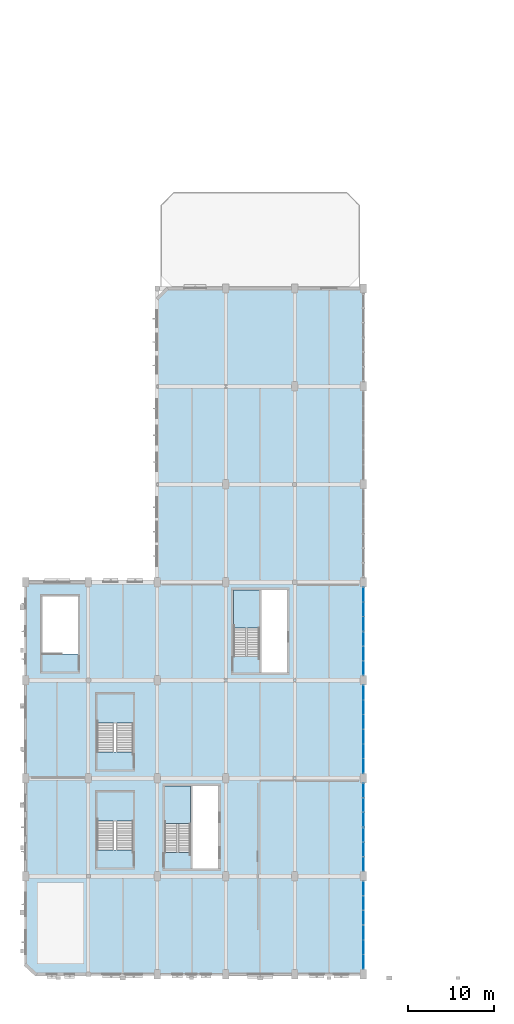
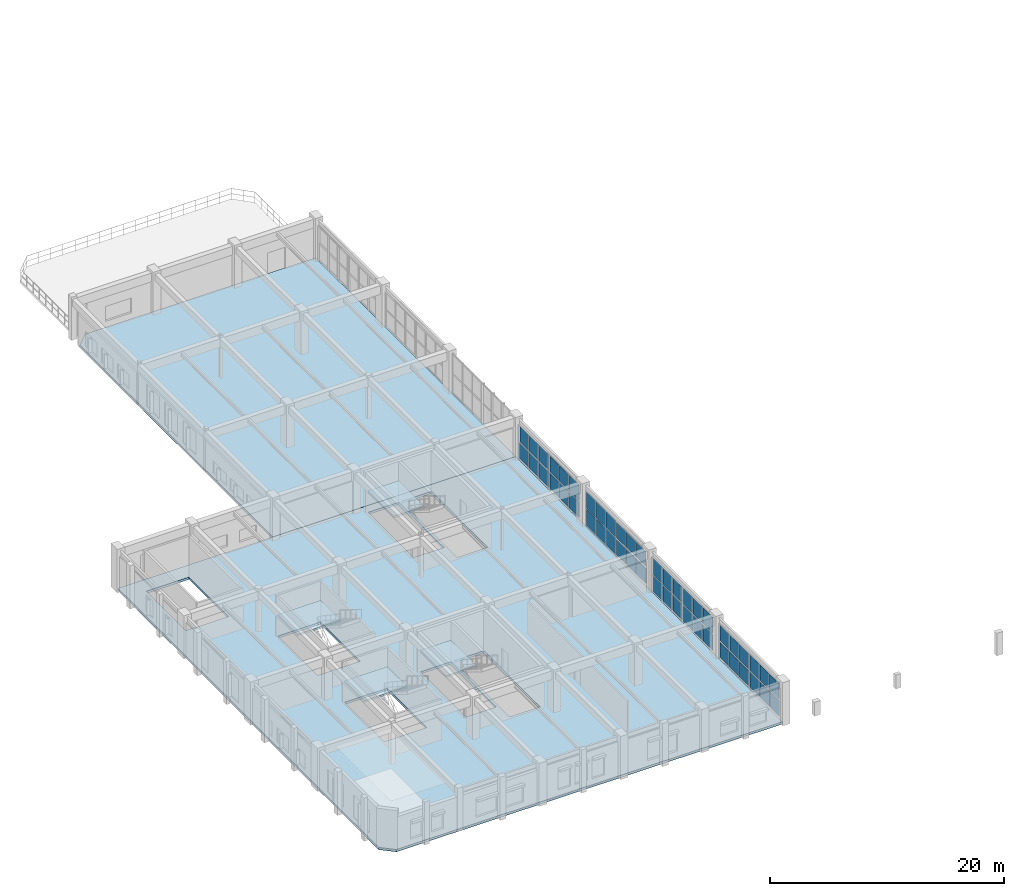
# One storey, part 54 of 80: 48 plates, 6 slabs, 12 elements without a shape of their own.
"""IFC4 building model written with IfcOpenShell, lengths in metres."""

from ifc_helpers import new_model, si_unit, direction, frame, origin, origin_2d, place, context, subcontext, project, spatial, polyline, rectangle, outline, extrude, material, layer, layer_set, type_object, element, aggregate, save


model = new_model("IFC4")

# Units and contexts
model_context = context("Model", 3, precision=1e-05, world=origin(), true_north=direction((0.0, 1.0)))
body_context = subcontext(model_context, "Body", "Model", "MODEL_VIEW")
ifc_project = project(units=[si_unit("LENGTHUNIT", "METRE"), si_unit("AREAUNIT", "SQUARE_METRE"), si_unit("VOLUMEUNIT", "CUBIC_METRE"), si_unit("PLANEANGLEUNIT", "RADIAN"), si_unit("MASSUNIT", "GRAM", prefix="KILO"), si_unit("POWERUNIT", "WATT"), si_unit("THERMODYNAMICTEMPERATUREUNIT", "KELVIN")], contexts=[model_context])

# Site, building, storey
site_placement = place(None, origin())
site = spatial("IfcSite", under=ifc_project, at=site_placement, CompositionType="ELEMENT")
building_placement = place(site_placement, origin())
building = spatial("IfcBuilding", under=site, at=building_placement, Name="Kelmbourne Parkland Aquatics Centre", CompositionType="ELEMENT")
storey_placement = place(building_placement, frame((0.0, 0.0, 10.199951171875)))
storey = spatial("IfcBuildingStorey", under=building, at=storey_placement, Name="L02", CompositionType="ELEMENT", Elevation=10.199951171875)

# Curtain wall, plates
ifc_material_1 = material(Name="Thermally broken anodised aluminium framing", Category="aluminium")
ifc_layer_1 = layer(ifc_material_1, 0.179931640625)
ifc_layer_set_1 = layer_set([ifc_layer_1], Name="Thermally broken anodised aluminium framing")
curtain_wall_type_1 = type_object("IfcCurtainWallType", Name="CW-02", PredefinedType="NOTDEFINED", material=ifc_layer_set_1)
curtain_wall_1_placement = place(storey_placement, origin())
curtain_wall_1 = element("IfcCurtainWall", 1, at=curtain_wall_1_placement, inside=storey, type_object=curtain_wall_type_1, Name="Facade curtain wall CW-L02-242", PredefinedType="NOTDEFINED")
ifc_material_2 = material(Name="Double-glazed low-e laminated safety glass", Category="glass")
ifc_layer_2 = layer(ifc_material_2, 0.02392578125)
ifc_layer_set_2 = layer_set([ifc_layer_2], Name="Double-glazed low-e laminated safety glass")
plate_type_1 = type_object("IfcPlateType", Name="PL-CWP-1", PredefinedType="CURTAIN_PANEL", material=ifc_layer_set_2)
plate_1_placement = place(storey_placement, frame((40.0, 7.386474609375, 1.93994140625), z_axis=(0.0, 0.0, 1.0), x_axis=(0.0, 1.0, 0.0)))
plate_1 = element("IfcPlate", 2, at=plate_1_placement, type_object=plate_type_1, Name="CW-L02-242 vision glazing 1-0", PredefinedType="CURTAIN_PANEL", context=body_context, shape_type="SweptSolid", body=[
    extrude(rectangle(XDim=1.61474609375, YDim=0.02392578125, at=origin_2d()), origin(), (0.0, 0.0, 1.0), 1.594970703125),
])
plate_2_placement = place(storey_placement, frame((40.0, 9.073974609375, 1.93994140625), z_axis=(0.0, 0.0, 1.0), x_axis=(0.0, 1.0, 0.0)))
plate_2 = element("IfcPlate", 3, at=plate_2_placement, type_object=plate_type_1, Name="CW-L02-242 vision glazing 1-1", PredefinedType="CURTAIN_PANEL", context=body_context, shape_type="SweptSolid", body=[
    extrude(rectangle(XDim=1.614501953125, YDim=0.02392578125, at=origin_2d()), origin(), (0.0, 0.0, 1.0), 1.594970703125),
])
plate_3_placement = place(storey_placement, frame((40.0, 10.76171875, 1.93994140625), z_axis=(0.0, 0.0, 1.0), x_axis=(0.0, 1.0, 0.0)))
plate_3 = element("IfcPlate", 4, at=plate_3_placement, type_object=plate_type_1, Name="CW-L02-242 vision glazing 1-2", PredefinedType="CURTAIN_PANEL", context=body_context, shape_type="SweptSolid", body=[
    extrude(rectangle(XDim=1.61474609375, YDim=0.02392578125, at=origin_2d()), origin(), (0.0, 0.0, 1.0), 1.594970703125),
])

ifc_layer_3 = layer(ifc_material_1, 0.179931640625)
ifc_layer_set_3 = layer_set([ifc_layer_3], Name="Thermally broken anodised aluminium framing")
curtain_wall_type_2 = type_object("IfcCurtainWallType", Name="CW-03", PredefinedType="NOTDEFINED", material=ifc_layer_set_3)
curtain_wall_2_placement = place(storey_placement, origin())
curtain_wall_2 = element("IfcCurtainWall", 5, at=curtain_wall_2_placement, inside=storey, type_object=curtain_wall_type_2, Name="Facade curtain wall CW-L02-243", PredefinedType="NOTDEFINED")
plate_4_placement = place(storey_placement, frame((40.0, 13.6416015625, 0.116943359375), z_axis=(0.0, 0.0, 1.0), x_axis=(0.0, 1.0, 0.0)))
plate_4 = element("IfcPlate", 6, at=plate_4_placement, type_object=plate_type_1, Name="CW-L02-243 vision glazing 0-0", PredefinedType="CURTAIN_PANEL", context=body_context, shape_type="SweptSolid", body=[
    extrude(rectangle(XDim=1.601318359375, YDim=0.02392578125, at=origin_2d()), origin(), (0.0, 0.0, 1.0), 1.68505859375),
])
plate_5_placement = place(storey_placement, frame((40.0, 15.325927734375, 0.116943359375), z_axis=(0.0, 0.0, 1.0), x_axis=(0.0, 1.0, 0.0)))
plate_5 = element("IfcPlate", 7, at=plate_5_placement, type_object=plate_type_1, Name="CW-L02-243 vision glazing 0-1", PredefinedType="CURTAIN_PANEL", context=body_context, shape_type="SweptSolid", body=[
    extrude(rectangle(XDim=1.601318359375, YDim=0.02392578125, at=origin_2d()), origin(), (0.0, 0.0, 1.0), 1.68505859375),
])
plate_6_placement = place(storey_placement, frame((40.0, 17.010498046875, 0.116943359375), z_axis=(0.0, 0.0, 1.0), x_axis=(0.0, 1.0, 0.0)))
plate_6 = element("IfcPlate", 8, at=plate_6_placement, type_object=plate_type_1, Name="CW-L02-243 vision glazing 0-2", PredefinedType="CURTAIN_PANEL", context=body_context, shape_type="SweptSolid", body=[
    extrude(rectangle(XDim=1.601318359375, YDim=0.02392578125, at=origin_2d()), origin(), (0.0, 0.0, 1.0), 1.68505859375),
])

ifc_layer_4 = layer(ifc_material_1, 0.179931640625)
ifc_layer_set_4 = layer_set([ifc_layer_4], Name="Thermally broken anodised aluminium framing")
curtain_wall_type_3 = type_object("IfcCurtainWallType", Name="CW-05", PredefinedType="NOTDEFINED", material=ifc_layer_set_4)
curtain_wall_3_placement = place(storey_placement, origin())
curtain_wall_3 = element("IfcCurtainWall", 9, at=curtain_wall_3_placement, inside=storey, type_object=curtain_wall_type_3, Name="Facade curtain wall CW-L02-245", PredefinedType="NOTDEFINED")
plate_7_placement = place(storey_placement, frame((40.0, 25.03173828125, 1.93994140625), z_axis=(0.0, 0.0, 1.0), x_axis=(0.0, 1.0, 0.0)))
plate_7 = element("IfcPlate", 10, at=plate_7_placement, type_object=plate_type_1, Name="CW-L02-245 vision glazing 1-0", PredefinedType="CURTAIN_PANEL", context=body_context, shape_type="SweptSolid", body=[
    extrude(rectangle(XDim=1.641357421875, YDim=0.02392578125, at=origin_2d()), origin(), (0.0, 0.0, 1.0), 1.594970703125),
])
plate_8_placement = place(storey_placement, frame((40.0, 26.72607421875, 1.93994140625), z_axis=(0.0, 0.0, 1.0), x_axis=(0.0, 1.0, 0.0)))
plate_8 = element("IfcPlate", 11, at=plate_8_placement, type_object=plate_type_1, Name="CW-L02-245 vision glazing 1-1", PredefinedType="CURTAIN_PANEL", context=body_context, shape_type="SweptSolid", body=[
    extrude(rectangle(XDim=1.641357421875, YDim=0.02392578125, at=origin_2d()), origin(), (0.0, 0.0, 1.0), 1.594970703125),
])
plate_9_placement = place(storey_placement, frame((40.0, 28.42041015625, 1.93994140625), z_axis=(0.0, 0.0, 1.0), x_axis=(0.0, 1.0, 0.0)))
plate_9 = element("IfcPlate", 12, at=plate_9_placement, type_object=plate_type_1, Name="CW-L02-245 vision glazing 1-2", PredefinedType="CURTAIN_PANEL", context=body_context, shape_type="SweptSolid", body=[
    extrude(rectangle(XDim=1.641357421875, YDim=0.02392578125, at=origin_2d()), origin(), (0.0, 0.0, 1.0), 1.594970703125),
])

ifc_layer_5 = layer(ifc_material_1, 0.179931640625)
ifc_layer_set_5 = layer_set([ifc_layer_5], Name="Thermally broken anodised aluminium framing")
curtain_wall_type_4 = type_object("IfcCurtainWallType", Name="CW-06", PredefinedType="NOTDEFINED", material=ifc_layer_set_5)
curtain_wall_4_placement = place(storey_placement, origin())
curtain_wall_4 = element("IfcCurtainWall", 13, at=curtain_wall_4_placement, inside=storey, type_object=curtain_wall_type_4, Name="Facade curtain wall CW-L02-246", PredefinedType="NOTDEFINED")
plate_10_placement = place(storey_placement, frame((40.0, 30.18310546875, 0.116943359375), z_axis=(0.0, 0.0, 1.0), x_axis=(0.0, 1.0, 0.0)))
plate_10 = element("IfcPlate", 14, at=plate_10_placement, type_object=plate_type_1, Name="CW-L02-246 vision glazing 0-0", PredefinedType="CURTAIN_PANEL", context=body_context, shape_type="SweptSolid", body=[
    extrude(rectangle(XDim=1.6279296875, YDim=0.02392578125, at=origin_2d()), origin(), (0.0, 0.0, 1.0), 1.68505859375),
])
plate_11_placement = place(storey_placement, frame((40.0, 31.8740234375, 0.116943359375), z_axis=(0.0, 0.0, 1.0), x_axis=(0.0, 1.0, 0.0)))
plate_11 = element("IfcPlate", 15, at=plate_11_placement, type_object=plate_type_1, Name="CW-L02-246 vision glazing 0-1", PredefinedType="CURTAIN_PANEL", context=body_context, shape_type="SweptSolid", body=[
    extrude(rectangle(XDim=1.6279296875, YDim=0.02392578125, at=origin_2d()), origin(), (0.0, 0.0, 1.0), 1.68505859375),
])
plate_12_placement = place(storey_placement, frame((40.0, 33.56494140625, 0.116943359375), z_axis=(0.0, 0.0, 1.0), x_axis=(0.0, 1.0, 0.0)))
plate_12 = element("IfcPlate", 16, at=plate_12_placement, type_object=plate_type_1, Name="CW-L02-246 vision glazing 0-2", PredefinedType="CURTAIN_PANEL", context=body_context, shape_type="SweptSolid", body=[
    extrude(rectangle(XDim=1.6279296875, YDim=0.02392578125, at=origin_2d()), origin(), (0.0, 0.0, 1.0), 1.68505859375),
])

ifc_layer_6 = layer(ifc_material_1, 0.179931640625)
ifc_layer_set_6 = layer_set([ifc_layer_6], Name="Thermally broken anodised aluminium framing")
curtain_wall_type_5 = type_object("IfcCurtainWallType", Name="CW-08", PredefinedType="NOTDEFINED", material=ifc_layer_set_6)
curtain_wall_5_placement = place(storey_placement, origin())
curtain_wall_5 = element("IfcCurtainWall", 17, at=curtain_wall_5_placement, inside=storey, type_object=curtain_wall_type_5, Name="Facade curtain wall CW-L02-248", PredefinedType="NOTDEFINED")
plate_13_placement = place(storey_placement, frame((40.0, 41.589599609375, 1.93994140625), z_axis=(0.0, 0.0, 1.0), x_axis=(0.0, 1.0, 0.0)))
plate_13 = element("IfcPlate", 18, at=plate_13_placement, type_object=plate_type_1, Name="CW-L02-248 vision glazing 1-0", PredefinedType="CURTAIN_PANEL", context=body_context, shape_type="SweptSolid", body=[
    extrude(rectangle(XDim=1.601318359375, YDim=0.02392578125, at=origin_2d()), origin(), (0.0, 0.0, 1.0), 1.594970703125),
])
plate_14_placement = place(storey_placement, frame((40.0, 43.27392578125, 1.93994140625), z_axis=(0.0, 0.0, 1.0), x_axis=(0.0, 1.0, 0.0)))
plate_14 = element("IfcPlate", 19, at=plate_14_placement, type_object=plate_type_1, Name="CW-L02-248 vision glazing 1-1", PredefinedType="CURTAIN_PANEL", context=body_context, shape_type="SweptSolid", body=[
    extrude(rectangle(XDim=1.601318359375, YDim=0.02392578125, at=origin_2d()), origin(), (0.0, 0.0, 1.0), 1.594970703125),
])
plate_15_placement = place(storey_placement, frame((40.0, 44.95849609375, 1.93994140625), z_axis=(0.0, 0.0, 1.0), x_axis=(0.0, 1.0, 0.0)))
plate_15 = element("IfcPlate", 20, at=plate_15_placement, type_object=plate_type_1, Name="CW-L02-248 vision glazing 1-2", PredefinedType="CURTAIN_PANEL", context=body_context, shape_type="SweptSolid", body=[
    extrude(rectangle(XDim=1.601318359375, YDim=0.02392578125, at=origin_2d()), origin(), (0.0, 0.0, 1.0), 1.594970703125),
])

ifc_layer_7 = layer(ifc_material_1, 0.179931640625)
ifc_layer_set_7 = layer_set([ifc_layer_7], Name="Thermally broken anodised aluminium framing")
curtain_wall_type_6 = type_object("IfcCurtainWallType", Name="CW-01", PredefinedType="NOTDEFINED", material=ifc_layer_set_7)
curtain_wall_6_placement = place(storey_placement, origin())
curtain_wall_6 = element("IfcCurtainWall", 21, at=curtain_wall_6_placement, inside=storey, type_object=curtain_wall_type_6, Name="Facade curtain wall CW-L02-241", PredefinedType="NOTDEFINED")
ifc_layer_8 = layer(ifc_material_2, 0.035888671875)
ifc_layer_set_8 = layer_set([ifc_layer_8], Name="Double-glazed low-e laminated safety glass")
plate_type_2 = type_object("IfcPlateType", Name="PL-CWP-2", PredefinedType="CURTAIN_PANEL", material=ifc_layer_set_8)
plate_16_placement = place(storey_placement, frame((40.0, 2.235107421875, 0.14697265625), z_axis=(0.0, 0.0, 1.0), x_axis=(0.0, 1.0, 0.0)))
plate_16 = element("IfcPlate", 22, at=plate_16_placement, type_object=plate_type_2, Name="CW-L02-241 vision glazing 0-0", PredefinedType="CURTAIN_PANEL", context=body_context, shape_type="SweptSolid", body=[
    extrude(rectangle(XDim=1.6279296875, YDim=0.035888671875, at=origin_2d()), origin(), (0.0, 0.0, 1.0), 1.639892578125),
])
plate_17_placement = place(storey_placement, frame((40.0, 3.926025390625, 0.14697265625), z_axis=(0.0, 0.0, 1.0), x_axis=(0.0, 1.0, 0.0)))
plate_17 = element("IfcPlate", 23, at=plate_17_placement, type_object=plate_type_2, Name="CW-L02-241 vision glazing 0-1", PredefinedType="CURTAIN_PANEL", context=body_context, shape_type="SweptSolid", body=[
    extrude(rectangle(XDim=1.6279296875, YDim=0.035888671875, at=origin_2d()), origin(), (0.0, 0.0, 1.0), 1.639892578125),
])
plate_18_placement = place(storey_placement, frame((40.0, 5.616943359375, 0.14697265625), z_axis=(0.0, 0.0, 1.0), x_axis=(0.0, 1.0, 0.0)))
plate_18 = element("IfcPlate", 24, at=plate_18_placement, type_object=plate_type_2, Name="CW-L02-241 vision glazing 0-2", PredefinedType="CURTAIN_PANEL", context=body_context, shape_type="SweptSolid", body=[
    extrude(rectangle(XDim=1.6279296875, YDim=0.035888671875, at=origin_2d()), origin(), (0.0, 0.0, 1.0), 1.639892578125),
])

# Plate
plate_19_placement = place(storey_placement, frame((40.0, 13.6416015625, 1.909912109375), z_axis=(0.0, 0.0, 1.0), x_axis=(0.0, 1.0, 0.0)))
plate_19 = element("IfcPlate", 25, at=plate_19_placement, type_object=plate_type_2, Name="CW-L02-243 vision glazing 1-0", PredefinedType="CURTAIN_PANEL", context=body_context, shape_type="SweptSolid", body=[
    extrude(rectangle(XDim=1.601318359375, YDim=0.035888671875, at=origin_2d()), origin(), (0.0, 0.0, 1.0), 1.68505859375),
])

plate_20_placement = place(storey_placement, frame((40.0, 15.325927734375, 1.909912109375), z_axis=(0.0, 0.0, 1.0), x_axis=(0.0, 1.0, 0.0)))
plate_20 = element("IfcPlate", 26, at=plate_20_placement, type_object=plate_type_2, Name="CW-L02-243 vision glazing 1-1", PredefinedType="CURTAIN_PANEL", context=body_context, shape_type="SweptSolid", body=[
    extrude(rectangle(XDim=1.601318359375, YDim=0.035888671875, at=origin_2d()), origin(), (0.0, 0.0, 1.0), 1.68505859375),
])

plate_21_placement = place(storey_placement, frame((40.0, 17.010498046875, 1.909912109375), z_axis=(0.0, 0.0, 1.0), x_axis=(0.0, 1.0, 0.0)))
plate_21 = element("IfcPlate", 27, at=plate_21_placement, type_object=plate_type_2, Name="CW-L02-243 vision glazing 1-2", PredefinedType="CURTAIN_PANEL", context=body_context, shape_type="SweptSolid", body=[
    extrude(rectangle(XDim=1.601318359375, YDim=0.035888671875, at=origin_2d()), origin(), (0.0, 0.0, 1.0), 1.68505859375),
])

aggregate(curtain_wall_2, [plate_4, plate_5, plate_6, plate_19, plate_20, plate_21])

# Curtain wall, plates
ifc_layer_9 = layer(ifc_material_1, 0.179931640625)
ifc_layer_set_9 = layer_set([ifc_layer_9], Name="Thermally broken anodised aluminium framing")
curtain_wall_type_7 = type_object("IfcCurtainWallType", Name="CW-04", PredefinedType="NOTDEFINED", material=ifc_layer_set_9)
curtain_wall_7_placement = place(storey_placement, origin())
curtain_wall_7 = element("IfcCurtainWall", 28, at=curtain_wall_7_placement, inside=storey, type_object=curtain_wall_type_7, Name="Facade curtain wall CW-L02-244", PredefinedType="NOTDEFINED")
plate_22_placement = place(storey_placement, frame((40.0, 18.79296875, 0.14697265625), z_axis=(0.0, 0.0, 1.0), x_axis=(0.0, 1.0, 0.0)))
plate_22 = element("IfcPlate", 29, at=plate_22_placement, type_object=plate_type_2, Name="CW-L02-244 vision glazing 0-0", PredefinedType="CURTAIN_PANEL", context=body_context, shape_type="SweptSolid", body=[
    extrude(rectangle(XDim=1.587890625, YDim=0.035888671875, at=origin_2d()), origin(), (0.0, 0.0, 1.0), 1.639892578125),
])
plate_23_placement = place(storey_placement, frame((40.0, 20.47412109375, 0.14697265625), z_axis=(0.0, 0.0, 1.0), x_axis=(0.0, 1.0, 0.0)))
plate_23 = element("IfcPlate", 30, at=plate_23_placement, type_object=plate_type_2, Name="CW-L02-244 vision glazing 0-1", PredefinedType="CURTAIN_PANEL", context=body_context, shape_type="SweptSolid", body=[
    extrude(rectangle(XDim=1.587890625, YDim=0.035888671875, at=origin_2d()), origin(), (0.0, 0.0, 1.0), 1.639892578125),
])
plate_24_placement = place(storey_placement, frame((40.0, 22.155029296875, 0.14697265625), z_axis=(0.0, 0.0, 1.0), x_axis=(0.0, 1.0, 0.0)))
plate_24 = element("IfcPlate", 31, at=plate_24_placement, type_object=plate_type_2, Name="CW-L02-244 vision glazing 0-2", PredefinedType="CURTAIN_PANEL", context=body_context, shape_type="SweptSolid", body=[
    extrude(rectangle(XDim=1.587890625, YDim=0.035888671875, at=origin_2d()), origin(), (0.0, 0.0, 1.0), 1.639892578125),
])

# Plate
plate_25_placement = place(storey_placement, frame((40.0, 30.18310546875, 1.909912109375), z_axis=(0.0, 0.0, 1.0), x_axis=(0.0, 1.0, 0.0)))
plate_25 = element("IfcPlate", 32, at=plate_25_placement, type_object=plate_type_2, Name="CW-L02-246 vision glazing 1-0", PredefinedType="CURTAIN_PANEL", context=body_context, shape_type="SweptSolid", body=[
    extrude(rectangle(XDim=1.6279296875, YDim=0.035888671875, at=origin_2d()), origin(), (0.0, 0.0, 1.0), 1.68505859375),
])

plate_26_placement = place(storey_placement, frame((40.0, 31.8740234375, 1.909912109375), z_axis=(0.0, 0.0, 1.0), x_axis=(0.0, 1.0, 0.0)))
plate_26 = element("IfcPlate", 33, at=plate_26_placement, type_object=plate_type_2, Name="CW-L02-246 vision glazing 1-1", PredefinedType="CURTAIN_PANEL", context=body_context, shape_type="SweptSolid", body=[
    extrude(rectangle(XDim=1.6279296875, YDim=0.035888671875, at=origin_2d()), origin(), (0.0, 0.0, 1.0), 1.68505859375),
])

plate_27_placement = place(storey_placement, frame((40.0, 33.56494140625, 1.909912109375), z_axis=(0.0, 0.0, 1.0), x_axis=(0.0, 1.0, 0.0)))
plate_27 = element("IfcPlate", 34, at=plate_27_placement, type_object=plate_type_2, Name="CW-L02-246 vision glazing 1-2", PredefinedType="CURTAIN_PANEL", context=body_context, shape_type="SweptSolid", body=[
    extrude(rectangle(XDim=1.6279296875, YDim=0.035888671875, at=origin_2d()), origin(), (0.0, 0.0, 1.0), 1.68505859375),
])

aggregate(curtain_wall_4, [plate_10, plate_11, plate_12, plate_25, plate_26, plate_27])

# Curtain wall, plates
ifc_layer_10 = layer(ifc_material_1, 0.179931640625)
ifc_layer_set_10 = layer_set([ifc_layer_10], Name="Thermally broken anodised aluminium framing")
curtain_wall_type_8 = type_object("IfcCurtainWallType", Name="CW-07", PredefinedType="NOTDEFINED", material=ifc_layer_set_10)
curtain_wall_8_placement = place(storey_placement, origin())
curtain_wall_8 = element("IfcCurtainWall", 35, at=curtain_wall_8_placement, inside=storey, type_object=curtain_wall_type_8, Name="Facade curtain wall CW-L02-247", PredefinedType="NOTDEFINED")
plate_28_placement = place(storey_placement, frame((40.0, 36.438232421875, 0.14697265625), z_axis=(0.0, 0.0, 1.0), x_axis=(0.0, 1.0, 0.0)))
plate_28 = element("IfcPlate", 36, at=plate_28_placement, type_object=plate_type_2, Name="CW-L02-247 vision glazing 0-0", PredefinedType="CURTAIN_PANEL", context=body_context, shape_type="SweptSolid", body=[
    extrude(rectangle(XDim=1.61474609375, YDim=0.035888671875, at=origin_2d()), origin(), (0.0, 0.0, 1.0), 1.639892578125),
])
plate_29_placement = place(storey_placement, frame((40.0, 38.1259765625, 0.14697265625), z_axis=(0.0, 0.0, 1.0), x_axis=(0.0, 1.0, 0.0)))
plate_29 = element("IfcPlate", 37, at=plate_29_placement, type_object=plate_type_2, Name="CW-L02-247 vision glazing 0-1", PredefinedType="CURTAIN_PANEL", context=body_context, shape_type="SweptSolid", body=[
    extrude(rectangle(XDim=1.614501953125, YDim=0.035888671875, at=origin_2d()), origin(), (0.0, 0.0, 1.0), 1.639892578125),
])
plate_30_placement = place(storey_placement, frame((40.0, 39.813720703125, 0.14697265625), z_axis=(0.0, 0.0, 1.0), x_axis=(0.0, 1.0, 0.0)))
plate_30 = element("IfcPlate", 38, at=plate_30_placement, type_object=plate_type_2, Name="CW-L02-247 vision glazing 0-2", PredefinedType="CURTAIN_PANEL", context=body_context, shape_type="SweptSolid", body=[
    extrude(rectangle(XDim=1.61474609375, YDim=0.035888671875, at=origin_2d()), origin(), (0.0, 0.0, 1.0), 1.639892578125),
])

# Plate
ifc_layer_11 = layer(ifc_material_2, 0.048095703125)
ifc_layer_set_11 = layer_set([ifc_layer_11], Name="Double-glazed low-e laminated safety glass")
plate_type_3 = type_object("IfcPlateType", Name="PL-CWP-3", PredefinedType="CURTAIN_PANEL", material=ifc_layer_set_11)
plate_31_placement = place(storey_placement, frame((40.0, 2.235107421875, 1.92529296875), z_axis=(0.0, 0.0, 1.0), x_axis=(0.0, 1.0, 0.0)))
plate_31 = element("IfcPlate", 39, at=plate_31_placement, type_object=plate_type_3, Name="CW-L02-241 vision glazing 1-0", PredefinedType="CURTAIN_PANEL", context=body_context, shape_type="SweptSolid", body=[
    extrude(rectangle(XDim=1.6279296875, YDim=0.048095703125, at=origin_2d()), origin(), (0.0, 0.0, 1.0), 1.639892578125),
])

plate_32_placement = place(storey_placement, frame((40.0, 3.926025390625, 1.92529296875), z_axis=(0.0, 0.0, 1.0), x_axis=(0.0, 1.0, 0.0)))
plate_32 = element("IfcPlate", 40, at=plate_32_placement, type_object=plate_type_3, Name="CW-L02-241 vision glazing 1-1", PredefinedType="CURTAIN_PANEL", context=body_context, shape_type="SweptSolid", body=[
    extrude(rectangle(XDim=1.6279296875, YDim=0.048095703125, at=origin_2d()), origin(), (0.0, 0.0, 1.0), 1.639892578125),
])

plate_33_placement = place(storey_placement, frame((40.0, 5.616943359375, 1.92529296875), z_axis=(0.0, 0.0, 1.0), x_axis=(0.0, 1.0, 0.0)))
plate_33 = element("IfcPlate", 41, at=plate_33_placement, type_object=plate_type_3, Name="CW-L02-241 vision glazing 1-2", PredefinedType="CURTAIN_PANEL", context=body_context, shape_type="SweptSolid", body=[
    extrude(rectangle(XDim=1.6279296875, YDim=0.048095703125, at=origin_2d()), origin(), (0.0, 0.0, 1.0), 1.639892578125),
])

aggregate(curtain_wall_6, [plate_16, plate_17, plate_18, plate_31, plate_32, plate_33])

plate_34_placement = place(storey_placement, frame((40.0, 7.386474609375, 0.17724609375), z_axis=(0.0, 0.0, 1.0), x_axis=(0.0, 1.0, 0.0)))
plate_34 = element("IfcPlate", 42, at=plate_34_placement, type_object=plate_type_3, Name="CW-L02-242 vision glazing 0-0", PredefinedType="CURTAIN_PANEL", context=body_context, shape_type="SweptSolid", body=[
    extrude(rectangle(XDim=1.61474609375, YDim=0.048095703125, at=origin_2d()), origin(), (0.0, 0.0, 1.0), 1.594970703125),
])

plate_35_placement = place(storey_placement, frame((40.0, 9.073974609375, 0.17724609375), z_axis=(0.0, 0.0, 1.0), x_axis=(0.0, 1.0, 0.0)))
plate_35 = element("IfcPlate", 43, at=plate_35_placement, type_object=plate_type_3, Name="CW-L02-242 vision glazing 0-1", PredefinedType="CURTAIN_PANEL", context=body_context, shape_type="SweptSolid", body=[
    extrude(rectangle(XDim=1.614501953125, YDim=0.048095703125, at=origin_2d()), origin(), (0.0, 0.0, 1.0), 1.594970703125),
])

plate_36_placement = place(storey_placement, frame((40.0, 10.76171875, 0.17724609375), z_axis=(0.0, 0.0, 1.0), x_axis=(0.0, 1.0, 0.0)))
plate_36 = element("IfcPlate", 44, at=plate_36_placement, type_object=plate_type_3, Name="CW-L02-242 vision glazing 0-2", PredefinedType="CURTAIN_PANEL", context=body_context, shape_type="SweptSolid", body=[
    extrude(rectangle(XDim=1.61474609375, YDim=0.048095703125, at=origin_2d()), origin(), (0.0, 0.0, 1.0), 1.594970703125),
])

aggregate(curtain_wall_1, [plate_34, plate_35, plate_36, plate_1, plate_2, plate_3])

plate_37_placement = place(storey_placement, frame((40.0, 18.79296875, 1.92529296875), z_axis=(0.0, 0.0, 1.0), x_axis=(0.0, 1.0, 0.0)))
plate_37 = element("IfcPlate", 45, at=plate_37_placement, type_object=plate_type_3, Name="CW-L02-244 vision glazing 1-0", PredefinedType="CURTAIN_PANEL", context=body_context, shape_type="SweptSolid", body=[
    extrude(rectangle(XDim=1.587890625, YDim=0.048095703125, at=origin_2d()), origin(), (0.0, 0.0, 1.0), 1.639892578125),
])

plate_38_placement = place(storey_placement, frame((40.0, 20.47412109375, 1.92529296875), z_axis=(0.0, 0.0, 1.0), x_axis=(0.0, 1.0, 0.0)))
plate_38 = element("IfcPlate", 46, at=plate_38_placement, type_object=plate_type_3, Name="CW-L02-244 vision glazing 1-1", PredefinedType="CURTAIN_PANEL", context=body_context, shape_type="SweptSolid", body=[
    extrude(rectangle(XDim=1.587890625, YDim=0.048095703125, at=origin_2d()), origin(), (0.0, 0.0, 1.0), 1.639892578125),
])

plate_39_placement = place(storey_placement, frame((40.0, 22.155029296875, 1.92529296875), z_axis=(0.0, 0.0, 1.0), x_axis=(0.0, 1.0, 0.0)))
plate_39 = element("IfcPlate", 47, at=plate_39_placement, type_object=plate_type_3, Name="CW-L02-244 vision glazing 1-2", PredefinedType="CURTAIN_PANEL", context=body_context, shape_type="SweptSolid", body=[
    extrude(rectangle(XDim=1.587890625, YDim=0.048095703125, at=origin_2d()), origin(), (0.0, 0.0, 1.0), 1.639892578125),
])

aggregate(curtain_wall_7, [plate_22, plate_23, plate_24, plate_37, plate_38, plate_39])

plate_40_placement = place(storey_placement, frame((40.0, 25.03173828125, 0.17724609375), z_axis=(0.0, 0.0, 1.0), x_axis=(0.0, 1.0, 0.0)))
plate_40 = element("IfcPlate", 48, at=plate_40_placement, type_object=plate_type_3, Name="CW-L02-245 vision glazing 0-0", PredefinedType="CURTAIN_PANEL", context=body_context, shape_type="SweptSolid", body=[
    extrude(rectangle(XDim=1.641357421875, YDim=0.048095703125, at=origin_2d()), origin(), (0.0, 0.0, 1.0), 1.594970703125),
])

plate_41_placement = place(storey_placement, frame((40.0, 26.72607421875, 0.17724609375), z_axis=(0.0, 0.0, 1.0), x_axis=(0.0, 1.0, 0.0)))
plate_41 = element("IfcPlate", 49, at=plate_41_placement, type_object=plate_type_3, Name="CW-L02-245 vision glazing 0-1", PredefinedType="CURTAIN_PANEL", context=body_context, shape_type="SweptSolid", body=[
    extrude(rectangle(XDim=1.641357421875, YDim=0.048095703125, at=origin_2d()), origin(), (0.0, 0.0, 1.0), 1.594970703125),
])

plate_42_placement = place(storey_placement, frame((40.0, 28.42041015625, 0.17724609375), z_axis=(0.0, 0.0, 1.0), x_axis=(0.0, 1.0, 0.0)))
plate_42 = element("IfcPlate", 50, at=plate_42_placement, type_object=plate_type_3, Name="CW-L02-245 vision glazing 0-2", PredefinedType="CURTAIN_PANEL", context=body_context, shape_type="SweptSolid", body=[
    extrude(rectangle(XDim=1.641357421875, YDim=0.048095703125, at=origin_2d()), origin(), (0.0, 0.0, 1.0), 1.594970703125),
])

aggregate(curtain_wall_3, [plate_40, plate_41, plate_42, plate_7, plate_8, plate_9])

plate_43_placement = place(storey_placement, frame((40.0, 36.438232421875, 1.92529296875), z_axis=(0.0, 0.0, 1.0), x_axis=(0.0, 1.0, 0.0)))
plate_43 = element("IfcPlate", 51, at=plate_43_placement, type_object=plate_type_3, Name="CW-L02-247 vision glazing 1-0", PredefinedType="CURTAIN_PANEL", context=body_context, shape_type="SweptSolid", body=[
    extrude(rectangle(XDim=1.61474609375, YDim=0.048095703125, at=origin_2d()), origin(), (0.0, 0.0, 1.0), 1.639892578125),
])

plate_44_placement = place(storey_placement, frame((40.0, 38.1259765625, 1.92529296875), z_axis=(0.0, 0.0, 1.0), x_axis=(0.0, 1.0, 0.0)))
plate_44 = element("IfcPlate", 52, at=plate_44_placement, type_object=plate_type_3, Name="CW-L02-247 vision glazing 1-1", PredefinedType="CURTAIN_PANEL", context=body_context, shape_type="SweptSolid", body=[
    extrude(rectangle(XDim=1.614501953125, YDim=0.048095703125, at=origin_2d()), origin(), (0.0, 0.0, 1.0), 1.639892578125),
])

plate_45_placement = place(storey_placement, frame((40.0, 39.813720703125, 1.92529296875), z_axis=(0.0, 0.0, 1.0), x_axis=(0.0, 1.0, 0.0)))
plate_45 = element("IfcPlate", 53, at=plate_45_placement, type_object=plate_type_3, Name="CW-L02-247 vision glazing 1-2", PredefinedType="CURTAIN_PANEL", context=body_context, shape_type="SweptSolid", body=[
    extrude(rectangle(XDim=1.61474609375, YDim=0.048095703125, at=origin_2d()), origin(), (0.0, 0.0, 1.0), 1.639892578125),
])

aggregate(curtain_wall_8, [plate_28, plate_29, plate_30, plate_43, plate_44, plate_45])

plate_46_placement = place(storey_placement, frame((40.0, 41.589599609375, 0.17724609375), z_axis=(0.0, 0.0, 1.0), x_axis=(0.0, 1.0, 0.0)))
plate_46 = element("IfcPlate", 54, at=plate_46_placement, type_object=plate_type_3, Name="CW-L02-248 vision glazing 0-0", PredefinedType="CURTAIN_PANEL", context=body_context, shape_type="SweptSolid", body=[
    extrude(rectangle(XDim=1.601318359375, YDim=0.048095703125, at=origin_2d()), origin(), (0.0, 0.0, 1.0), 1.594970703125),
])

plate_47_placement = place(storey_placement, frame((40.0, 43.27392578125, 0.17724609375), z_axis=(0.0, 0.0, 1.0), x_axis=(0.0, 1.0, 0.0)))
plate_47 = element("IfcPlate", 55, at=plate_47_placement, type_object=plate_type_3, Name="CW-L02-248 vision glazing 0-1", PredefinedType="CURTAIN_PANEL", context=body_context, shape_type="SweptSolid", body=[
    extrude(rectangle(XDim=1.601318359375, YDim=0.048095703125, at=origin_2d()), origin(), (0.0, 0.0, 1.0), 1.594970703125),
])

plate_48_placement = place(storey_placement, frame((40.0, 44.95849609375, 0.17724609375), z_axis=(0.0, 0.0, 1.0), x_axis=(0.0, 1.0, 0.0)))
plate_48 = element("IfcPlate", 56, at=plate_48_placement, type_object=plate_type_3, Name="CW-L02-248 vision glazing 0-2", PredefinedType="CURTAIN_PANEL", context=body_context, shape_type="SweptSolid", body=[
    extrude(rectangle(XDim=1.601318359375, YDim=0.048095703125, at=origin_2d()), origin(), (0.0, 0.0, 1.0), 1.594970703125),
])

aggregate(curtain_wall_5, [plate_46, plate_47, plate_48, plate_13, plate_14, plate_15])

# Slabs
ifc_material_3 = material(Name="Concrete C40/50", Category="concrete")
ifc_layer_12 = layer(ifc_material_3, 0.239990234375)
ifc_layer_set_12 = layer_set([ifc_layer_12], Name="Concrete C40/50")
slab_type_1 = type_object("IfcSlabType", Name="SL-F2", PredefinedType="FLOOR", material=ifc_layer_set_12)
slab_1_placement = place(storey_placement, frame((0.0, 0.0, -0.239990234375)))
element("IfcSlab", 57, at=slab_1_placement, inside=storey, type_object=slab_type_1, Name="Suspended floor slab SLAB-L02-V5S", PredefinedType="FLOOR", context=body_context, shape_type="SweptSolid", body=[
    extrude(outline(polyline([(39.949951171875, 0.800048828125), (39.949951171875, 46.39990234375), (0.699951171875, 46.39990234375), (0.699951171875, 1.85009765625), (1.85009765625, 0.800048828125), (39.949951171875, 0.800048828125)]), holes=[polyline([(20.125, 22.699951171875), (23.10009765625, 22.699951171875), (23.10009765625, 13.10009765625), (20.125, 13.10009765625), (20.125, 22.699951171875)]), polyline([(13.199951171875, 22.0), (13.199951171875, 15.25), (9.0, 15.25), (9.0, 22.0), (13.199951171875, 22.0)]), polyline([(19.875, 22.699951171875), (19.875, 14.949951171875), (16.89990234375, 14.949951171875), (16.89990234375, 22.699951171875), (19.875, 22.699951171875)]), polyline([(13.199951171875, 33.39990234375), (13.199951171875, 26.64990234375), (9.0, 26.64990234375), (9.0, 33.39990234375), (13.199951171875, 33.39990234375)]), polyline([(31.10009765625, 45.5), (31.10009765625, 35.89990234375), (28.125, 35.89990234375), (28.125, 45.5), (31.10009765625, 45.5)]), polyline([(6.800048828125, 44.800048828125), (6.800048828125, 38.050048828125), (2.60009765625, 38.050048828125), (2.60009765625, 44.800048828125), (6.800048828125, 44.800048828125)]), polyline([(27.875, 45.5), (27.875, 37.75), (24.89990234375, 37.75), (24.89990234375, 45.5), (27.875, 45.5)])]), origin(), (0.0, 0.0, 1.0), 0.239990234375),
])
slab_2_placement = place(storey_placement, frame((0.0, 0.0, -0.239990234375)))
element("IfcSlab", 58, at=slab_2_placement, inside=storey, type_object=slab_type_1, Name="Suspended floor slab SLAB-L02-V5N", PredefinedType="FLOOR", context=body_context, shape_type="SweptSolid", body=[
    extrude(outline(polyline([(39.949951171875, 46.39990234375), (39.949951171875, 80.60009765625), (17.199951171875, 80.60009765625), (16.0, 79.39990234375), (16.0, 46.39990234375), (39.949951171875, 46.39990234375)])), origin(), (0.0, 0.0, 1.0), 0.239990234375),
])

# Stair, slab
stair_type_1 = type_object("IfcStairType", Name="ST-T04", PredefinedType="HALF_TURN_STAIR", material=ifc_material_3)
stair_1_placement = place(storey_placement, origin())
stair_1 = element("IfcStair", 59, at=stair_1_placement, inside=storey, type_object=stair_type_1, Name="West Wing South Fire-Fighting Core Stair ST01 (L02)", PredefinedType="HALF_TURN_STAIR")
ifc_layer_13 = layer(ifc_material_3, 0.199951171875)
ifc_layer_set_13 = layer_set([ifc_layer_13], Name="Concrete C40/50")
slab_type_2 = type_object("IfcSlabType", Name="SL-LND-20", PredefinedType="LANDING", material=ifc_layer_set_13)
slab_3_placement = place(storey_placement, frame((0.0, 0.0, 2.050048828125)))
slab_3 = element("IfcSlab", 60, at=slab_3_placement, type_object=slab_type_2, Name="West Wing South Fire-Fighting Core Stair ST01 half-landing (L02)", PredefinedType="LANDING", context=body_context, shape_type="SweptSolid", body=[
    extrude(outline(polyline([(16.8798828125, 18.31005859375), (19.89501953125, 18.31005859375), (19.89501953125, 22.719970703125), (16.8798828125, 22.719970703125), (16.8798828125, 18.31005859375)])), origin(), (0.0, 0.0, 1.0), 0.199951171875),
])
aggregate(stair_1, [slab_3])

stair_type_2 = type_object("IfcStairType", Name="ST-T09", PredefinedType="HALF_TURN_STAIR", material=ifc_material_3)
stair_2_placement = place(storey_placement, origin())
stair_2 = element("IfcStair", 61, at=stair_2_placement, inside=storey, type_object=stair_type_2, Name="West Wing North Passenger Core Stair ST02 (L02)", PredefinedType="HALF_TURN_STAIR")
slab_4_placement = place(storey_placement, frame((0.0, 0.0, 2.050048828125)))
slab_4 = element("IfcSlab", 62, at=slab_4_placement, type_object=slab_type_2, Name="West Wing North Passenger Core Stair ST02 half-landing (L02)", PredefinedType="LANDING", context=body_context, shape_type="SweptSolid", body=[
    extrude(outline(polyline([(24.8798828125, 41.110107421875), (27.89501953125, 41.110107421875), (27.89501953125, 45.52001953125), (24.8798828125, 45.52001953125), (24.8798828125, 41.110107421875)])), origin(), (0.0, 0.0, 1.0), 0.199951171875),
])
aggregate(stair_2, [slab_4])

stair_type_3 = type_object("IfcStairType", Name="ST-T23", PredefinedType="HALF_TURN_STAIR", material=ifc_material_3)
stair_3_placement = place(storey_placement, origin())
stair_3 = element("IfcStair", 63, at=stair_3_placement, inside=storey, type_object=stair_type_3, Name="West South Perimeter Exit Stair (L02)", PredefinedType="HALF_TURN_STAIR")
slab_5_placement = place(storey_placement, frame((0.0, 0.0, 2.050048828125)))
slab_5 = element("IfcSlab", 64, at=slab_5_placement, type_object=slab_type_2, Name="West South Perimeter Exit Stair half-landing (L02)", PredefinedType="LANDING", context=body_context, shape_type="SweptSolid", body=[
    extrude(outline(polyline([(8.97998046875, 18.610107421875), (13.219970703125, 18.610107421875), (13.219970703125, 22.02001953125), (8.97998046875, 22.02001953125), (8.97998046875, 18.610107421875)])), origin(), (0.0, 0.0, 1.0), 0.199951171875),
])
aggregate(stair_3, [slab_5])

stair_type_4 = type_object("IfcStairType", Name="ST-T27", PredefinedType="HALF_TURN_STAIR", material=ifc_material_3)
stair_4_placement = place(storey_placement, origin())
stair_4 = element("IfcStair", 65, at=stair_4_placement, inside=storey, type_object=stair_type_4, Name="West Central Park Exit Stair (L02)", PredefinedType="HALF_TURN_STAIR")
slab_6_placement = place(storey_placement, frame((0.0, 0.0, 2.050048828125)))
slab_6 = element("IfcSlab", 66, at=slab_6_placement, type_object=slab_type_2, Name="West Central Park Exit Stair half-landing (L02)", PredefinedType="LANDING", context=body_context, shape_type="SweptSolid", body=[
    extrude(outline(polyline([(8.97998046875, 30.010009765625), (13.219970703125, 30.010009765625), (13.219970703125, 33.419921875), (8.97998046875, 33.419921875), (8.97998046875, 30.010009765625)])), origin(), (0.0, 0.0, 1.0), 0.199951171875),
])
aggregate(stair_4, [slab_6])

save(model, "model.ifc")
